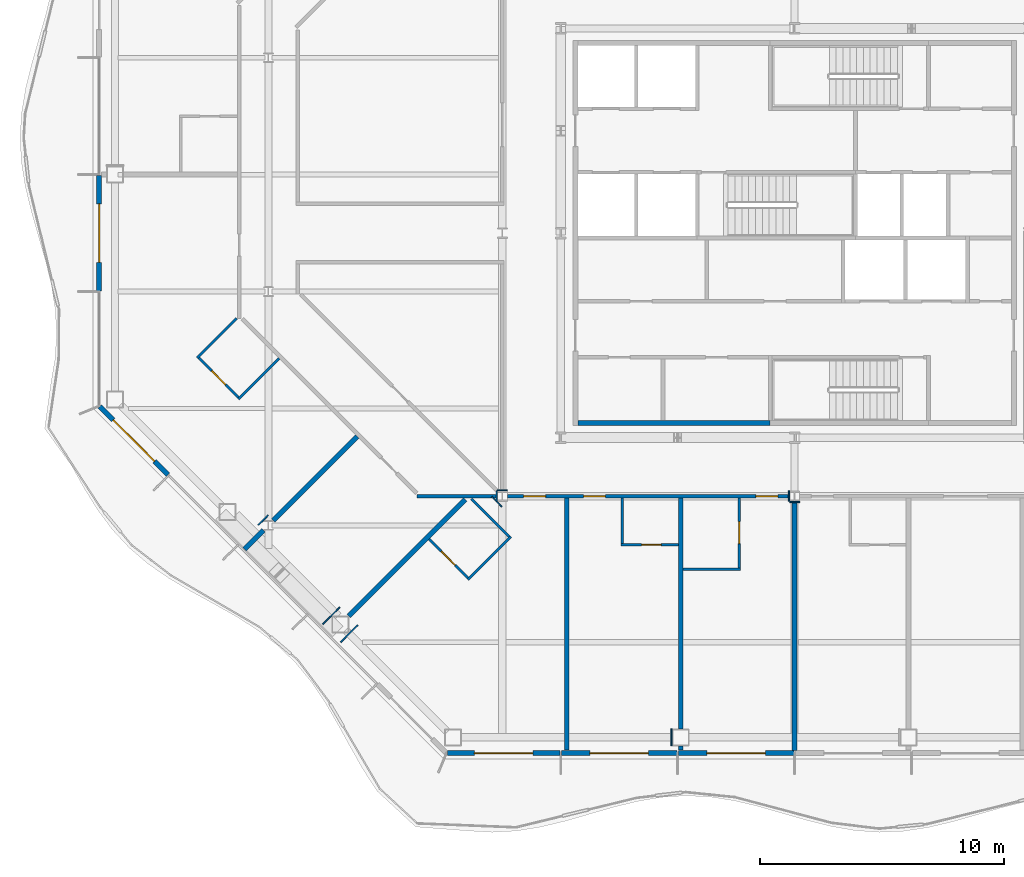
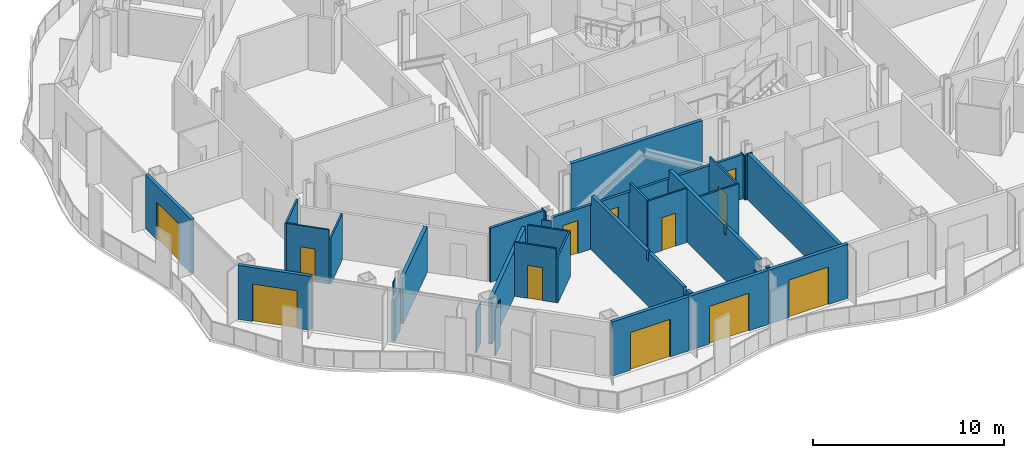
# One storey, part 7 of 21: 34 walls, 12 doors, 12 openings.
"""IFC4 building model written with IfcOpenShell, lengths in metres."""

import ifcopenshell
import ifcopenshell.guid

model = None  # the IFC model being written
_history = None  # IfcOwnerHistory: only IFC2X3 demands one
_inside = {}  # id of a spatial element -> (the spatial element, [elements in it])
_under = {}  # id of a project, library or spatial element -> (it, [spatial elements below it])
_declared = {}  # id of a project -> (the project, [libraries it declares])
_typed = {}  # id of a type object -> (the type object, [elements of that type])
_made_of = {}  # id of a material, layer set ... -> (it, [elements and type objects made of it])


def new_model(schema):
    """Start an empty IFC model of exactly this schema.

    Asked for "IFC4X3", IfcOpenShell would pick the latest addendum, in which some entities
    have other attributes; the version numbers below select the first issue.
    IFC2X3 requires an IfcOwnerHistory on every rooted entity: one is made here for all.
    """
    global model, _history
    if schema == "IFC4X3":
        model = ifcopenshell.file(schema_version=(4, 3, 0, 0))
    else:
        model = ifcopenshell.file(schema=schema)
    _inside.clear()
    _under.clear()
    _declared.clear()
    _typed.clear()
    _made_of.clear()
    _history = None
    if model.schema == "IFC2X3":
        org = make("IfcOrganization", Name="unknown")
        user = make(
            "IfcPersonAndOrganization",
            ThePerson=make("IfcPerson", FamilyName="unknown"),
            TheOrganization=org,
        )
        app = make(
            "IfcApplication",
            ApplicationDeveloper=org,
            Version="unknown",
            ApplicationFullName="unknown",
            ApplicationIdentifier="unknown",
        )
        _history = make(
            "IfcOwnerHistory",
            OwningUser=user,
            OwningApplication=app,
            ChangeAction="ADDED",
            CreationDate=0,
        )
    return model


def make(cls, **values):
    """One entity of the class cls with the attributes given. An attribute that is None is left unset."""
    return model.create_entity(
        cls, **{name: value for name, value in values.items() if value is not None}
    )


def rooted(cls, **values):
    """An entity with a GlobalId (a new one), such as an element, a storey or a relation."""
    return make(cls, GlobalId=ifcopenshell.guid.new(), OwnerHistory=_history, **values)


def si_unit(unit_type, name, prefix=None):
    """IfcSIUnit, for example si_unit("LENGTHUNIT", "METRE", prefix="MILLI")."""
    return make("IfcSIUnit", UnitType=unit_type, Prefix=prefix, Name=name)


def assignment(units):
    """IfcUnitAssignment: the units of a project."""
    return None if units is None else make("IfcUnitAssignment", Units=units)


def point(xyz):
    """IfcCartesianPoint."""
    return None if xyz is None else make("IfcCartesianPoint", Coordinates=xyz)


def direction(xyz):
    """IfcDirection."""
    return None if xyz is None else make("IfcDirection", DirectionRatios=xyz)


def frame(location, z_axis=None, x_axis=None):
    """IfcAxis2Placement3D, a coordinate frame: its origin and axes. An axis left out is left unset."""
    return make(
        "IfcAxis2Placement3D",
        Location=point(location),
        Axis=direction(z_axis),
        RefDirection=direction(x_axis),
    )


def frame_2d(location, x_axis=None):
    """IfcAxis2Placement2D, a coordinate frame in the plane: its origin and x axis."""
    return make(
        "IfcAxis2Placement2D", Location=point(location), RefDirection=direction(x_axis)
    )


def origin():
    """The frame at (0, 0, 0) with its axes left unset."""
    return frame((0.0, 0.0, 0.0))


def place(relative_to, where):
    """IfcLocalPlacement: puts the frame where relative to a parent placement (None: the world)."""
    return make(
        "IfcLocalPlacement", PlacementRelTo=relative_to, RelativePlacement=where
    )


def context(
    kind, dimensions, precision=None, world=None, true_north=None, identifier=None
):
    """IfcGeometricRepresentationContext, for example the 3D "Model" context."""
    return make(
        "IfcGeometricRepresentationContext",
        ContextIdentifier=identifier,
        ContextType=kind,
        CoordinateSpaceDimension=dimensions,
        Precision=precision,
        WorldCoordinateSystem=world,
        TrueNorth=true_north,
    )


def subcontext(parent, identifier, kind, view, scale=None):
    """IfcGeometricRepresentationSubContext, for example "Body" below "Model"."""
    return make(
        "IfcGeometricRepresentationSubContext",
        ContextIdentifier=identifier,
        ContextType=kind,
        ParentContext=parent,
        TargetScale=scale,
        TargetView=view,
    )


def project(units=None, contexts=None):
    """IfcProject with its units and contexts."""
    return rooted(
        "IfcProject",
        Name="project",
        RepresentationContexts=contexts,
        UnitsInContext=assignment(units),
    )


def spatial(cls, under=None, at=None, **own):
    """A site, building, storey or space (cls), placed at a placement, below another one or the project."""
    s = rooted(cls, ObjectPlacement=at, **own)
    if under is not None:
        _under.setdefault(under.id(), (under, []))[1].append(s)
    return s


def polyline(points):
    """IfcPolyline through the points."""
    return make("IfcPolyline", Points=[point(p) for p in points])


def profile(cls, at=None, kind="AREA", **sizes):
    """A parametric profile (cls). Its sizes go by their IFC names, for example OverallWidth=200.0."""
    return make(cls, ProfileType=kind, Position=at, **sizes)


def rectangle(**sizes):
    """IfcRectangleProfileDef."""
    return profile("IfcRectangleProfileDef", **sizes)


def outline(outer, holes=None, kind="AREA"):
    """IfcArbitraryClosedProfileDef: a profile drawn as a closed curve; with holes, ...WithVoids."""
    if holes is None:
        return make("IfcArbitraryClosedProfileDef", ProfileType=kind, OuterCurve=outer)
    return make(
        "IfcArbitraryProfileDefWithVoids",
        ProfileType=kind,
        OuterCurve=outer,
        InnerCurves=holes,
    )


def extrude(swept, where, along, depth):
    """IfcExtrudedAreaSolid: the profile swept, set in the frame where, extruded along a direction by depth."""
    return make(
        "IfcExtrudedAreaSolid",
        SweptArea=swept,
        Position=where,
        ExtrudedDirection=direction(along),
        Depth=depth,
    )


def shape(context_of_items, identifier, shape_type, items):
    """IfcShapeRepresentation: the items that make up one representation, for example the "Body"."""
    return make(
        "IfcShapeRepresentation",
        ContextOfItems=context_of_items,
        RepresentationIdentifier=identifier,
        RepresentationType=shape_type,
        Items=items,
    )


def material(Name=None, Category=None):
    """IfcMaterial."""
    return make("IfcMaterial", Name=Name, Category=Category)


def layer(
    of_material, thickness, ventilated=None, Name=None, Category=None, Priority=None
):
    """IfcMaterialLayer: one layer of a wall or slab, of a material (None: an air gap)."""
    return make(
        "IfcMaterialLayer",
        Material=of_material,
        LayerThickness=thickness,
        IsVentilated=ventilated,
        Name=Name,
        Category=Category,
        Priority=Priority,
    )


def layer_set(layers, Name=None):
    """IfcMaterialLayerSet."""
    return make("IfcMaterialLayerSet", MaterialLayers=layers, LayerSetName=Name)


def made_of(thing, what):
    """Note that an element or type object is made of a material, layer set ...; save() writes the relation."""
    if what is not None:
        _made_of.setdefault(what.id(), (what, []))[1].append(thing)
    return thing


def type_object(cls, material=None, **own):
    """A type object (cls), such as IfcWallType, which elements share."""
    return made_of(rooted(cls, **own), material)


def element(
    cls,
    number,
    at=None,
    inside=None,
    cuts=None,
    type_object=None,
    material=None,
    context=None,
    identifier="Body",
    shape_type=None,
    held_by="IfcProductDefinitionShape",
    body=None,
    shapes=None,
    **own,
):
    """One element of the class cls, such as IfcWall. Its Tag is "e" and its number.

    at: its placement. inside: the storey or other place that contains it. cuts: it is an
    opening in that element (IfcRelVoidsElement). A single representation is given by context,
    identifier, shape_type and body (its items); several are given by shapes. held_by: the class
    of the entity that holds the representations. save() writes the other relations.
    """
    e = rooted(cls, Tag="e%d" % number, ObjectPlacement=at, **own)
    if body is not None:
        shapes = [shape(context, identifier, shape_type, body)]
    if shapes is not None:
        e.Representation = make(held_by, Representations=shapes)
    if inside is not None:
        _inside.setdefault(inside.id(), (inside, []))[1].append(e)
    if cuts is not None:
        rooted(
            "IfcRelVoidsElement", RelatingBuildingElement=cuts, RelatedOpeningElement=e
        )
    if type_object is not None:
        _typed.setdefault(type_object.id(), (type_object, []))[1].append(e)
    return made_of(e, material)


def fill(opening, filler):
    """IfcRelFillsElement: the door or window that sits in an opening."""
    return rooted(
        "IfcRelFillsElement",
        RelatingOpeningElement=opening,
        RelatedBuildingElement=filler,
    )


def aggregate(whole, parts):
    """IfcRelAggregates: a whole, such as a stair, and the parts it consists of."""
    return rooted("IfcRelAggregates", RelatingObject=whole, RelatedObjects=parts)


def save(model, path):
    """Write the relations noted so far, then the file.

    IfcRelAggregates (storeys below a building ...), IfcRelContainedInSpatialStructure (elements
    in a storey), IfcRelDefinesByType, IfcRelAssociatesMaterial and IfcRelDeclares: one each for
    every whole, place, type object, material and project.
    """
    for whole, parts in _under.values():
        aggregate(whole, parts)
    for where, things in _inside.values():
        rooted(
            "IfcRelContainedInSpatialStructure",
            RelatedElements=things,
            RelatingStructure=where,
        )
    for kind, things in _typed.values():
        rooted("IfcRelDefinesByType", RelatedObjects=things, RelatingType=kind)
    for what, things in _made_of.values():
        rooted("IfcRelAssociatesMaterial", RelatedObjects=things, RelatingMaterial=what)
    for by, libraries in _declared.values():
        rooted("IfcRelDeclares", RelatingContext=by, RelatedDefinitions=libraries)
    model.write(path)


model = new_model("IFC4")

# Units and contexts
model_context = context("Model", 3, precision=1e-05, world=origin(), true_north=direction((0.0, 1.0)))
body_context = subcontext(model_context, "Body", "Model", "MODEL_VIEW")
ifc_project = project(units=[si_unit("LENGTHUNIT", "METRE"), si_unit("AREAUNIT", "SQUARE_METRE"), si_unit("VOLUMEUNIT", "CUBIC_METRE"), si_unit("PLANEANGLEUNIT", "RADIAN"), si_unit("MASSUNIT", "GRAM", prefix="KILO")], contexts=[model_context])

# Site, building, storey
site_placement = place(None, origin())
site = spatial("IfcSite", under=ifc_project, at=site_placement, CompositionType="ELEMENT")
building_placement = place(site_placement, origin())
building = spatial("IfcBuilding", under=site, at=building_placement, Name="Cairn Pilgrim Tower", CompositionType="ELEMENT")
storey_placement = place(building_placement, frame((0.0, 0.0, 136.199951171875)))
storey = spatial("IfcBuildingStorey", under=building, at=storey_placement, Name="L33", CompositionType="ELEMENT", Elevation=136.199951171875)

# Wall, opening, door
ifc_material_1 = material(Name="Bronze anodised aluminium insulated sandwich panel with mineral wool fill", Category="aluminium")
ifc_layer_1 = layer(ifc_material_1, 0.199951171875)
ifc_layer_set_1 = layer_set([ifc_layer_1], Name="BRONZE INFILL FRAME WALL 200")
wall_type_1 = type_object("IfcWallType", Name="BRONZE INFILL FRAME WALL 200", PredefinedType="NOTDEFINED", material=ifc_layer_set_1)
wall_1_placement = place(storey_placement, frame((-7.056396484375, -18.949951171875, 0.0), z_axis=(0.0, 0.0, 1.0), x_axis=(1.0, 0.0, 0.0)))
wall_1 = element("IfcWall", 1, at=wall_1_placement, inside=storey, type_object=wall_type_1, Name="Bronze infill frame wall IW-S1", PredefinedType="NOTDEFINED", context=body_context, shape_type="SweptSolid", body=[
    extrude(rectangle(XDim=4.62646484375, YDim=0.199951171875, at=frame_2d((2.313232421875, 0.0))), origin(), (0.0, 0.0, 1.0), 3.449951171875),
])
opening_1_placement = place(wall_1_placement, frame((1.1083984375, 0.0, 0.0)))
opening_1 = element("IfcOpeningElement", 2, at=opening_1_placement, cuts=wall_1, Name="Opening 3320B", PredefinedType="OPENING", context=body_context, shape_type="SweptSolid", body=[
    extrude(rectangle(XDim=2.39990234375, YDim=2.39990234375, at=frame_2d((1.199951171875, 1.199951171875))), frame((0.0, 0.10986328125, 0.0), z_axis=(0.0, -1.0, 0.0), x_axis=(1.0, 0.0, 0.0)), (0.0, 0.0, 1.0), 0.219970703125),
])
ifc_material_2 = material(Name="Bronze anodised aluminium frame with tinted low-E glass", Category="aluminium")
door_type_1 = type_object("IfcDoorType", Name="BALCONY SLIDING DOOR 2400x2400", OperationType="DOUBLE_DOOR_SLIDING", PredefinedType="DOOR", material=ifc_material_2)
door_1_placement = place(opening_1_placement, origin())
door_1 = element("IfcDoor", 3, at=door_1_placement, inside=storey, type_object=door_type_1, Name="Balcony sliding door 3320B", OperationType="SINGLE_SWING_LEFT", OverallHeight=2.39990234375, OverallWidth=2.39990234375, PredefinedType="DOOR", context=body_context, shape_type="SweptSolid", body=[
    extrude(rectangle(XDim=2.39990234375, YDim=2.39990234375, at=frame_2d((1.199951171875, 1.199951171875))), frame((0.0, 0.02490234375, 0.0), z_axis=(0.0, -1.0, 0.0), x_axis=(1.0, 0.0, 0.0)), (0.0, 0.0, 1.0), 0.050048828125),
])
fill(opening_1, door_1)

wall_2_placement = place(storey_placement, frame((-2.3701171875, -18.949951171875, 0.0), z_axis=(0.0, 0.0, 1.0), x_axis=(1.0, 0.0, 0.0)))
wall_2 = element("IfcWall", 4, at=wall_2_placement, inside=storey, type_object=wall_type_1, Name="Bronze infill frame wall IW-S2", PredefinedType="NOTDEFINED", context=body_context, shape_type="SweptSolid", body=[
    extrude(rectangle(XDim=4.740234375, YDim=0.199951171875, at=frame_2d((2.3701171875, 0.0))), origin(), (0.0, 0.0, 1.0), 3.449951171875),
])
opening_2_placement = place(wall_2_placement, frame((1.16943359375, 0.0, 0.0)))
opening_2 = element("IfcOpeningElement", 5, at=opening_2_placement, cuts=wall_2, Name="Opening 3321B", PredefinedType="OPENING", context=body_context, shape_type="SweptSolid", body=[
    extrude(rectangle(XDim=2.39990234375, YDim=2.39990234375, at=frame_2d((1.199951171875, 1.199951171875))), frame((0.0, 0.10986328125, 0.0), z_axis=(0.0, -1.0, 0.0), x_axis=(1.0, 0.0, 0.0)), (0.0, 0.0, 1.0), 0.219970703125),
])
door_2_placement = place(opening_2_placement, origin())
door_2 = element("IfcDoor", 6, at=door_2_placement, inside=storey, type_object=door_type_1, Name="Balcony sliding door 3321B", OperationType="SINGLE_SWING_LEFT", OverallHeight=2.39990234375, OverallWidth=2.39990234375, PredefinedType="DOOR", context=body_context, shape_type="SweptSolid", body=[
    extrude(rectangle(XDim=2.39990234375, YDim=2.39990234375, at=frame_2d((1.199951171875, 1.199951171875))), frame((0.0, 0.02490234375, 0.0), z_axis=(0.0, -1.0, 0.0), x_axis=(1.0, 0.0, 0.0)), (0.0, 0.0, 1.0), 0.050048828125),
])
fill(opening_2, door_2)

wall_3_placement = place(storey_placement, frame((2.429931640625, -18.949951171875, 0.0), z_axis=(0.0, 0.0, 1.0), x_axis=(1.0, 0.0, 0.0)))
wall_3 = element("IfcWall", 7, at=wall_3_placement, inside=storey, type_object=wall_type_1, Name="Bronze infill frame wall IW-S3", PredefinedType="NOTDEFINED", context=body_context, shape_type="SweptSolid", body=[
    extrude(rectangle(XDim=4.739990234375, YDim=0.199951171875, at=frame_2d((2.3701171875, 0.0))), origin(), (0.0, 0.0, 1.0), 3.449951171875),
])
opening_3_placement = place(wall_3_placement, frame((1.17041015625, 0.0, 0.0)))
opening_3 = element("IfcOpeningElement", 8, at=opening_3_placement, cuts=wall_3, Name="Opening 3322B", PredefinedType="OPENING", context=body_context, shape_type="SweptSolid", body=[
    extrude(rectangle(XDim=2.39990234375, YDim=2.39990234375, at=frame_2d((1.199951171875, 1.199951171875))), frame((0.0, 0.10986328125, 0.0), z_axis=(0.0, -1.0, 0.0), x_axis=(1.0, 0.0, 0.0)), (0.0, 0.0, 1.0), 0.219970703125),
])
door_3_placement = place(opening_3_placement, origin())
door_3 = element("IfcDoor", 9, at=door_3_placement, inside=storey, type_object=door_type_1, Name="Balcony sliding door 3322B", OperationType="SINGLE_SWING_LEFT", OverallHeight=2.39990234375, OverallWidth=2.39990234375, PredefinedType="DOOR", context=body_context, shape_type="SweptSolid", body=[
    extrude(rectangle(XDim=2.39990234375, YDim=2.39990234375, at=frame_2d((1.199951171875, 1.199951171875))), frame((0.0, 0.02490234375, 0.0), z_axis=(0.0, -1.0, 0.0), x_axis=(1.0, 0.0, 0.0)), (0.0, 0.0, 1.0), 0.050048828125),
])
fill(opening_3, door_3)

wall_4_placement = place(storey_placement, frame((-21.35009765625, 4.77001953125, 0.0), z_axis=(0.0, 0.0, 1.0), x_axis=(0.0, -1.0, 0.0)))
wall_4 = element("IfcWall", 10, at=wall_4_placement, inside=storey, type_object=wall_type_1, Name="Bronze infill frame wall IW-W3", PredefinedType="NOTDEFINED", context=body_context, shape_type="SweptSolid", body=[
    extrude(rectangle(XDim=4.739990234375, YDim=0.199951171875, at=frame_2d((2.3701171875, 0.0))), origin(), (0.0, 0.0, 1.0), 3.449951171875),
])
opening_4_placement = place(wall_4_placement, frame((1.169921875, 0.0, 0.0)))
opening_4 = element("IfcOpeningElement", 11, at=opening_4_placement, cuts=wall_4, Name="Opening 3318B", PredefinedType="OPENING", context=body_context, shape_type="SweptSolid", body=[
    extrude(rectangle(XDim=2.39990234375, YDim=2.39990234375, at=frame_2d((1.199951171875, 1.199951171875))), frame((0.0, 0.10986328125, 0.0), z_axis=(0.0, -1.0, 0.0), x_axis=(1.0, 0.0, 0.0)), (0.0, 0.0, 1.0), 0.219970703125),
])
door_4_placement = place(opening_4_placement, origin())
door_4 = element("IfcDoor", 12, at=door_4_placement, inside=storey, type_object=door_type_1, Name="Balcony sliding door 3318B", OperationType="SINGLE_SWING_LEFT", OverallHeight=2.39990234375, OverallWidth=2.39990234375, PredefinedType="DOOR", context=body_context, shape_type="SweptSolid", body=[
    extrude(rectangle(XDim=2.39990234375, YDim=2.39990234375, at=frame_2d((1.199951171875, 1.199951171875))), frame((0.0, 0.02490234375, 0.0), z_axis=(0.0, -1.0, 0.0), x_axis=(1.0, 0.0, 0.0)), (0.0, 0.0, 1.0), 0.050048828125),
])
fill(opening_4, door_4)

wall_5_placement = place(storey_placement, frame((-21.32177734375, -4.724609375, 0.0), z_axis=(0.0, 0.0, 1.0), x_axis=(0.707106781187, -0.707106781187, 0.0)))
wall_5 = element("IfcWall", 13, at=wall_5_placement, inside=storey, type_object=wall_type_1, Name="Bronze infill frame wall IW-SW1", PredefinedType="NOTDEFINED", context=body_context, shape_type="SweptSolid", body=[
    extrude(rectangle(XDim=3.961669921875, YDim=0.199951171875, at=frame_2d((1.98095703125, 0.0))), origin(), (0.0, 0.0, 1.0), 3.449951171875),
])
opening_5_placement = place(wall_5_placement, frame((0.775390625, 0.0, 0.0)))
opening_5 = element("IfcOpeningElement", 14, at=opening_5_placement, cuts=wall_5, Name="Opening 3318B2", PredefinedType="OPENING", context=body_context, shape_type="SweptSolid", body=[
    extrude(rectangle(XDim=2.39990234375, YDim=2.39990234375, at=frame_2d((1.199951171875, 1.199951171875))), frame((0.0, 0.10986328125, 0.0), z_axis=(0.0, -1.0, 0.0), x_axis=(1.0, 0.0, 0.0)), (0.0, 0.0, 1.0), 0.219970703125),
])
door_5_placement = place(opening_5_placement, origin())
door_5 = element("IfcDoor", 15, at=door_5_placement, inside=storey, type_object=door_type_1, Name="Balcony sliding door 3318B2", OperationType="SINGLE_SWING_LEFT", OverallHeight=2.39990234375, OverallWidth=2.39990234375, PredefinedType="DOOR", context=body_context, shape_type="SweptSolid", body=[
    extrude(rectangle(XDim=2.39990234375, YDim=2.39990234375, at=frame_2d((1.199951171875, 1.199951171875))), frame((0.0, 0.02490234375, 0.0), z_axis=(0.0, -1.0, 0.0), x_axis=(1.0, 0.0, 0.0)), (0.0, 0.0, 1.0), 0.050048828125),
])
fill(opening_5, door_5)

# Wall
ifc_material_3 = material(Name="Concrete C32/40", Category="concrete")
ifc_layer_2 = layer(ifc_material_3, 0.199951171875)
ifc_layer_set_2 = layer_set([ifc_layer_2], Name="CORE OUTER WALL 200 EI 120")
wall_type_2 = type_object("IfcWallType", Name="CORE OUTER WALL 200 EI 120", PredefinedType="SOLIDWALL", material=ifc_layer_set_2)
wall_6_placement = place(storey_placement, frame((-1.699951171875, -5.39990234375, 0.0), z_axis=(0.0, 0.0, 1.0), x_axis=(1.0, 0.0, 0.0)))
element("IfcWall", 16, at=wall_6_placement, inside=storey, type_object=wall_type_2, Name="CW:L33:H01-1", PredefinedType="SOLIDWALL", context=body_context, shape_type="SweptSolid", body=[
    extrude(rectangle(XDim=7.89990234375, YDim=0.199951171875, at=frame_2d((3.949951171875, 0.0))), origin(), (0.0, 0.0, 1.0), 3.449951171875),
])

# Wall, opening, door
ifc_material_4 = material(Name="Gypsum partition")
ifc_layer_3 = layer(ifc_material_4, 0.10009765625)
ifc_layer_set_3 = layer_set([ifc_layer_3], Name="PARTITION 100 DRYWALL")
wall_type_3 = type_object("IfcWallType", Name="PARTITION 100 DRYWALL", PredefinedType="PARTITIONING", material=ifc_layer_set_3)
wall_7_placement = place(storey_placement, frame((-6.21142578125, -11.758544921875, 0.0), z_axis=(0.0, 0.0, 1.0), x_axis=(-0.707106781187, 0.707106781187, 0.0)))
wall_7 = element("IfcWall", 17, at=wall_7_placement, inside=storey, type_object=wall_type_3, Name="PARTITION W010", PredefinedType="PARTITIONING", context=body_context, shape_type="SweptSolid", body=[
    extrude(rectangle(XDim=2.249755859375, YDim=0.10009765625, at=frame_2d((1.125, 0.0))), origin(), (0.0, 0.0, 1.0), 3.449951171875),
])
opening_6_placement = place(wall_7_placement, frame((0.75, 0.0, 0.0)))
opening_6 = element("IfcOpeningElement", 18, at=opening_6_placement, cuts=wall_7, Name="Opening 3320A", PredefinedType="OPENING", context=body_context, shape_type="SweptSolid", body=[
    extrude(rectangle(XDim=0.800048828125, YDim=2.10009765625, at=frame_2d((0.39990234375, 1.050048828125))), frame((0.0, 0.06005859375, 0.0), z_axis=(0.0, -1.0, 0.0), x_axis=(1.0, 0.0, 0.0)), (0.0, 0.0, 1.0), 0.1201171875),
])
ifc_material_5 = material(Name="Timber door leaf", Category="wood")
door_type_2 = type_object("IfcDoorType", Name="WC DOOR 800x2100", OperationType="NOTDEFINED", PredefinedType="DOOR", material=ifc_material_5)
door_6_placement = place(opening_6_placement, origin())
door_6 = element("IfcDoor", 19, at=door_6_placement, inside=storey, type_object=door_type_2, Name="DOOR 3320A", OperationType="SINGLE_SWING_LEFT", OverallHeight=2.10009765625, OverallWidth=0.800048828125, PredefinedType="DOOR", context=body_context, shape_type="SweptSolid", body=[
    extrude(rectangle(XDim=0.800048828125, YDim=2.10009765625, at=frame_2d((0.39990234375, 1.050048828125))), frame((0.0, 0.02490234375, 0.0), z_axis=(0.0, -1.0, 0.0), x_axis=(1.0, 0.0, 0.0)), (0.0, 0.0, 1.0), 0.050048828125),
])
fill(opening_6, door_6)

# Walls
wall_8_placement = place(storey_placement, frame((-6.21142578125, -11.829345703125, 0.0), z_axis=(0.0, 0.0, 1.0), x_axis=(0.707155609469, 0.707057949532, 0.0)))
element("IfcWall", 20, at=wall_8_placement, inside=storey, type_object=wall_type_3, Name="PARTITION W011", PredefinedType="PARTITIONING", context=body_context, shape_type="SweptSolid", body=[
    extrude(rectangle(XDim=2.5, YDim=0.10009765625, at=frame_2d((1.25, 0.0))), origin(), (0.0, 0.0, 1.0), 2.929931640625),
])
wall_9_placement = place(storey_placement, frame((2.6240234375, -11.39990234375, 0.0), z_axis=(0.0, 0.0, 1.0), x_axis=(1.0, 0.0, 0.0)))
element("IfcWall", 21, at=wall_9_placement, inside=storey, type_object=wall_type_3, Name="PARTITION W014", PredefinedType="PARTITIONING", context=body_context, shape_type="SweptSolid", body=[
    extrude(rectangle(XDim=2.35009765625, YDim=0.10009765625, at=frame_2d((1.175048828125, 0.0))), origin(), (0.0, 0.0, 1.0), 3.449951171875),
])

# Wall, opening, door
wall_10_placement = place(storey_placement, frame((4.924072265625, -11.35009765625, 0.0), z_axis=(0.0, 0.0, 1.0), x_axis=(0.0, 1.0, 0.0)))
wall_10 = element("IfcWall", 22, at=wall_10_placement, inside=storey, type_object=wall_type_3, Name="PARTITION W015", PredefinedType="PARTITIONING", context=body_context, shape_type="SweptSolid", body=[
    extrude(outline(polyline([(0.0, 0.0), (2.875, 0.0), (2.875, 2.830078125), (2.800048828125, 2.830078125), (2.798095703125, 3.449951171875), (0.0, 3.449951171875), (0.0, 0.0)])), frame((0.0, 0.050048828125, 0.0), z_axis=(0.0, -1.0, 0.0), x_axis=(1.0, 0.0, 0.0)), (0.0, 0.0, 1.0), 0.10009765625),
])
opening_7_placement = place(wall_10_placement, frame((1.0, 0.0, 0.0)))
opening_7 = element("IfcOpeningElement", 23, at=opening_7_placement, cuts=wall_10, Name="Opening 3322A", PredefinedType="OPENING", context=body_context, shape_type="SweptSolid", body=[
    extrude(rectangle(XDim=0.89990234375, YDim=2.10009765625, at=frame_2d((0.449951171875, 1.050048828125))), frame((0.0, 0.06005859375, 0.0), z_axis=(0.0, -1.0, 0.0), x_axis=(1.0, 0.0, 0.0)), (0.0, 0.0, 1.0), 0.1201171875),
])
door_type_3 = type_object("IfcDoorType", Name="WC DOOR 900x2100", OperationType="NOTDEFINED", PredefinedType="DOOR", material=ifc_material_5)
door_7_placement = place(opening_7_placement, frame((0.89990234375, 0.0, 0.0), z_axis=(0.0, 0.0, 1.0), x_axis=(-1.0, 0.0, 0.0)))
door_7 = element("IfcDoor", 24, at=door_7_placement, inside=storey, type_object=door_type_3, Name="DOOR 3322A", OperationType="SINGLE_SWING_LEFT", OverallHeight=2.10009765625, OverallWidth=0.89990234375, PredefinedType="DOOR", context=body_context, shape_type="SweptSolid", body=[
    extrude(rectangle(XDim=0.89990234375, YDim=2.10009765625, at=frame_2d((0.449951171875, 1.050048828125))), frame((0.0, 0.02490234375, 0.0), z_axis=(0.0, -1.0, 0.0), x_axis=(1.0, 0.0, 0.0)), (0.0, 0.0, 1.0), 0.050048828125),
])
fill(opening_7, door_7)

wall_11_placement = place(storey_placement, frame((0.073974609375, -10.39990234375, 0.0), z_axis=(0.0, 0.0, 1.0), x_axis=(1.0, 0.0, 0.0)))
wall_11 = element("IfcWall", 25, at=wall_11_placement, inside=storey, type_object=wall_type_3, Name="PARTITION W017", PredefinedType="PARTITIONING", context=body_context, shape_type="SweptSolid", body=[
    extrude(rectangle(XDim=2.35009765625, YDim=0.10009765625, at=frame_2d((1.175048828125, 0.0))), origin(), (0.0, 0.0, 1.0), 3.449951171875),
])
opening_8_placement = place(wall_11_placement, frame((0.85009765625, 0.0, 0.0)))
opening_8 = element("IfcOpeningElement", 26, at=opening_8_placement, cuts=wall_11, Name="Opening 3321A", PredefinedType="OPENING", context=body_context, shape_type="SweptSolid", body=[
    extrude(rectangle(XDim=0.800048828125, YDim=2.10009765625, at=frame_2d((0.39990234375, 1.050048828125))), frame((0.0, 0.06005859375, 0.0), z_axis=(0.0, -1.0, 0.0), x_axis=(1.0, 0.0, 0.0)), (0.0, 0.0, 1.0), 0.1201171875),
])
door_8_placement = place(opening_8_placement, frame((0.800048828125, 0.0, 0.0), z_axis=(0.0, 0.0, 1.0), x_axis=(-1.0, 0.0, 0.0)))
door_8 = element("IfcDoor", 27, at=door_8_placement, inside=storey, type_object=door_type_2, Name="DOOR 3321A", OperationType="SINGLE_SWING_LEFT", OverallHeight=2.10009765625, OverallWidth=0.800048828125, PredefinedType="DOOR", context=body_context, shape_type="SweptSolid", body=[
    extrude(rectangle(XDim=0.800048828125, YDim=2.10009765625, at=frame_2d((0.39990234375, 1.050048828125))), frame((0.0, 0.02490234375, 0.0), z_axis=(0.0, -1.0, 0.0), x_axis=(1.0, 0.0, 0.0)), (0.0, 0.0, 1.0), 0.050048828125),
])
fill(opening_8, door_8)

# Walls
wall_12_placement = place(storey_placement, frame((0.1240234375, -10.35009765625, 0.0), z_axis=(0.0, 0.0, 1.0), x_axis=(0.0, 1.0, 0.0)))
element("IfcWall", 28, at=wall_12_placement, inside=storey, type_object=wall_type_3, Name="PARTITION W019", PredefinedType="PARTITIONING", context=body_context, shape_type="SweptSolid", body=[
    extrude(outline(polyline([(0.0, 0.0), (1.875, 0.0), (1.875, 2.830078125), (1.800048828125, 2.830078125), (1.798095703125, 3.449951171875), (0.0, 3.449951171875), (0.0, 0.0)])), frame((0.0, 0.050048828125, 0.0), z_axis=(0.0, -1.0, 0.0), x_axis=(1.0, 0.0, 0.0)), (0.0, 0.0, 1.0), 0.10009765625),
])
wall_13_placement = place(storey_placement, frame((-4.514404296875, -10.0615234375, 0.0), z_axis=(0.0, 0.0, 1.0), x_axis=(-0.707106781187, 0.707106781187, 0.0)))
element("IfcWall", 29, at=wall_13_placement, inside=storey, type_object=wall_type_3, Name="PARTITION W021", PredefinedType="PARTITIONING", context=body_context, shape_type="SweptSolid", body=[
    extrude(rectangle(XDim=2.19384765625, YDim=0.10009765625, at=frame_2d((1.096923828125, 0.0))), origin(), (0.0, 0.0, 1.0), 2.929931640625),
])

# Wall, opening, door
wall_14_placement = place(storey_placement, frame((-15.635498046875, -4.3525390625, 0.0), z_axis=(0.0, 0.0, 1.0), x_axis=(-0.707106781187, 0.707106781187, 0.0)))
wall_14 = element("IfcWall", 30, at=wall_14_placement, inside=storey, type_object=wall_type_3, Name="PARTITION W035", PredefinedType="PARTITIONING", context=body_context, shape_type="SweptSolid", body=[
    extrude(rectangle(XDim=2.2998046875, YDim=0.10009765625, at=frame_2d((1.14990234375, 0.0))), origin(), (0.0, 0.0, 1.0), 3.449951171875),
])
opening_9_placement = place(wall_14_placement, frame((0.75, 0.0, 0.0)))
opening_9 = element("IfcOpeningElement", 31, at=opening_9_placement, cuts=wall_14, Name="Opening 3318A", PredefinedType="OPENING", context=body_context, shape_type="SweptSolid", body=[
    extrude(rectangle(XDim=0.800048828125, YDim=2.10009765625, at=frame_2d((0.39990234375, 1.050048828125))), frame((0.0, 0.06005859375, 0.0), z_axis=(0.0, -1.0, 0.0), x_axis=(1.0, 0.0, 0.0)), (0.0, 0.0, 1.0), 0.1201171875),
])
door_9_placement = place(opening_9_placement, origin())
door_9 = element("IfcDoor", 32, at=door_9_placement, inside=storey, type_object=door_type_2, Name="DOOR 3318A", OperationType="SINGLE_SWING_RIGHT", OverallHeight=2.10009765625, OverallWidth=0.800048828125, PredefinedType="DOOR", context=body_context, shape_type="SweptSolid", body=[
    extrude(rectangle(XDim=0.800048828125, YDim=2.10009765625, at=frame_2d((0.39990234375, 1.050048828125))), frame((0.0, 0.02490234375, 0.0), z_axis=(0.0, -1.0, 0.0), x_axis=(1.0, 0.0, 0.0)), (0.0, 0.0, 1.0), 0.050048828125),
])
fill(opening_9, door_9)

# Walls
wall_15_placement = place(storey_placement, frame((-15.635498046875, -4.42333984375, 0.0), z_axis=(0.0, 0.0, 1.0), x_axis=(0.707106781187, 0.707106781187, 0.0)))
element("IfcWall", 33, at=wall_15_placement, inside=storey, type_object=wall_type_3, Name="PARTITION W036", PredefinedType="PARTITIONING", context=body_context, shape_type="SweptSolid", body=[
    extrude(rectangle(XDim=2.375, YDim=0.10009765625, at=frame_2d((1.1875, 0.0))), origin(), (0.0, 0.0, 1.0), 2.929931640625),
])
wall_16_placement = place(storey_placement, frame((-17.33251953125, -2.726318359375, 0.0), z_axis=(0.0, 0.0, 1.0), x_axis=(0.707159989116, 0.707053569253, 0.0)))
element("IfcWall", 34, at=wall_16_placement, inside=storey, type_object=wall_type_3, Name="PARTITION W039", PredefinedType="PARTITIONING", context=body_context, shape_type="SweptSolid", body=[
    extrude(rectangle(XDim=2.294189453125, YDim=0.10009765625, at=frame_2d((1.14697265625, 0.0))), origin(), (0.0, 0.0, 1.0), 3.449951171875),
])
ifc_layer_4 = layer(ifc_material_4, 0.14990234375)
ifc_layer_set_4 = layer_set([ifc_layer_4], Name="PARTITION 150 DRYWALL EI 60")
wall_type_4 = type_object("IfcWallType", Name="PARTITION 150 DRYWALL EI 60", PredefinedType="PARTITIONING", material=ifc_layer_set_4)
wall_17_placement = place(storey_placement, frame((-8.300048828125, -8.39990234375, 0.0), z_axis=(0.0, 0.0, 1.0), x_axis=(1.0, 0.0, 0.0)))
element("IfcWall", 35, at=wall_17_placement, inside=storey, type_object=wall_type_4, Name="PARTITION W025", PredefinedType="PARTITIONING", context=body_context, shape_type="SweptSolid", body=[
    extrude(rectangle(XDim=3.295654296875, YDim=0.14990234375, at=frame_2d((1.64794921875, 0.0))), origin(), (0.0, 0.0, 1.0), 3.449951171875),
])

# Wall, openings, doors
wall_18_placement = place(storey_placement, frame((-4.595458984375, -8.39990234375, 0.0), z_axis=(0.0, 0.0, 1.0), x_axis=(1.0, 0.0, 0.0)))
wall_18 = element("IfcWall", 36, at=wall_18_placement, inside=storey, type_object=wall_type_4, Name="PARTITION W026", PredefinedType="PARTITIONING", context=body_context, shape_type="SweptSolid", body=[
    extrude(rectangle(XDim=11.591064453125, YDim=0.14990234375, at=frame_2d((5.79541015625, 0.0))), origin(), (0.0, 0.0, 1.0), 2.830078125),
])
opening_10_placement = place(wall_18_placement, frame((0.66943359375, 0.0, 0.0)))
opening_10 = element("IfcOpeningElement", 37, at=opening_10_placement, cuts=wall_18, Name="Opening 3320", PredefinedType="OPENING", context=body_context, shape_type="SweptSolid", body=[
    extrude(rectangle(XDim=0.89990234375, YDim=2.10009765625, at=frame_2d((0.449951171875, 1.050048828125))), frame((0.0, 0.0849609375, 0.0), z_axis=(0.0, -1.0, 0.0), x_axis=(1.0, 0.0, 0.0)), (0.0, 0.0, 1.0), 0.169921875),
])
opening_11_placement = place(wall_18_placement, frame((3.13134765625, 0.0, 0.0)))
opening_11 = element("IfcOpeningElement", 38, at=opening_11_placement, cuts=wall_18, Name="Opening 3321", PredefinedType="OPENING", context=body_context, shape_type="SweptSolid", body=[
    extrude(rectangle(XDim=0.89990234375, YDim=2.10009765625, at=frame_2d((0.449951171875, 1.050048828125))), frame((0.0, 0.0849609375, 0.0), z_axis=(0.0, -1.0, 0.0), x_axis=(1.0, 0.0, 0.0)), (0.0, 0.0, 1.0), 0.169921875),
])
opening_12_placement = place(wall_18_placement, frame((10.20751953125, 0.0, 0.0)))
opening_12 = element("IfcOpeningElement", 39, at=opening_12_placement, cuts=wall_18, Name="Opening 3322", PredefinedType="OPENING", context=body_context, shape_type="SweptSolid", body=[
    extrude(rectangle(XDim=0.89990234375, YDim=2.10009765625, at=frame_2d((0.449951171875, 1.050048828125))), frame((0.0, 0.0849609375, 0.0), z_axis=(0.0, -1.0, 0.0), x_axis=(1.0, 0.0, 0.0)), (0.0, 0.0, 1.0), 0.169921875),
])
door_type_4 = type_object("IfcDoorType", Name="ROOM DOOR 900x2100 FD30S", OperationType="NOTDEFINED", PredefinedType="DOOR", material=ifc_material_5)
door_10_placement = place(opening_10_placement, frame((0.89990234375, 0.0, 0.0), z_axis=(0.0, 0.0, 1.0), x_axis=(-1.0, 0.0, 0.0)))
door_10 = element("IfcDoor", 40, at=door_10_placement, inside=storey, type_object=door_type_4, Name="DOOR 3320", OperationType="SINGLE_SWING_LEFT", OverallHeight=2.10009765625, OverallWidth=0.89990234375, PredefinedType="DOOR", context=body_context, shape_type="SweptSolid", body=[
    extrude(rectangle(XDim=0.89990234375, YDim=2.10009765625, at=frame_2d((0.449951171875, 1.050048828125))), frame((0.0, 0.02490234375, 0.0), z_axis=(0.0, -1.0, 0.0), x_axis=(1.0, 0.0, 0.0)), (0.0, 0.0, 1.0), 0.050048828125),
])
fill(opening_10, door_10)
door_11_placement = place(opening_11_placement, frame((0.89990234375, 0.0, 0.0), z_axis=(0.0, 0.0, 1.0), x_axis=(-1.0, 0.0, 0.0)))
door_11 = element("IfcDoor", 41, at=door_11_placement, inside=storey, type_object=door_type_4, Name="DOOR 3321", OperationType="SINGLE_SWING_LEFT", OverallHeight=2.10009765625, OverallWidth=0.89990234375, PredefinedType="DOOR", context=body_context, shape_type="SweptSolid", body=[
    extrude(rectangle(XDim=0.89990234375, YDim=2.10009765625, at=frame_2d((0.449951171875, 1.050048828125))), frame((0.0, 0.02490234375, 0.0), z_axis=(0.0, -1.0, 0.0), x_axis=(1.0, 0.0, 0.0)), (0.0, 0.0, 1.0), 0.050048828125),
])
fill(opening_11, door_11)
door_12_placement = place(opening_12_placement, frame((0.89990234375, 0.0, 0.0), z_axis=(0.0, 0.0, 1.0), x_axis=(-1.0, 0.0, 0.0)))
door_12 = element("IfcDoor", 42, at=door_12_placement, inside=storey, type_object=door_type_4, Name="DOOR 3322", OperationType="SINGLE_SWING_LEFT", OverallHeight=2.10009765625, OverallWidth=0.89990234375, PredefinedType="DOOR", context=body_context, shape_type="SweptSolid", body=[
    extrude(rectangle(XDim=0.89990234375, YDim=2.10009765625, at=frame_2d((0.449951171875, 1.050048828125))), frame((0.0, 0.02490234375, 0.0), z_axis=(0.0, -1.0, 0.0), x_axis=(1.0, 0.0, 0.0)), (0.0, 0.0, 1.0), 0.050048828125),
])
fill(opening_12, door_12)

# Walls
ifc_layer_5 = layer(ifc_material_4, 0.050048828125)
ifc_layer_set_5 = layer_set([ifc_layer_5], Name="PARTITION 50 DRYWALL EI 60")
wall_type_5 = type_object("IfcWallType", Name="PARTITION 50 DRYWALL EI 60", PredefinedType="PARTITIONING", material=ifc_layer_set_5)
wall_19_placement = place(storey_placement, frame((6.970458984375, -8.612548828125, 0.0), z_axis=(0.0, 0.0, 1.0), x_axis=(0.0, 1.0, 0.0)))
element("IfcWall", 43, at=wall_19_placement, inside=storey, type_object=wall_type_5, Name="COLUMN CASING WC01", PredefinedType="PARTITIONING", context=body_context, shape_type="SweptSolid", body=[
    extrude(rectangle(XDim=0.425048828125, YDim=0.050048828125, at=frame_2d((0.21240234375, 0.0))), origin(), (0.0, 0.0, 1.0), 2.830078125),
])
wall_20_placement = place(storey_placement, frame((2.1494140625, -18.64990234375, 0.0), z_axis=(0.0, 0.0, 1.0), x_axis=(0.0, 1.0, 0.0)))
element("IfcWall", 44, at=wall_20_placement, inside=storey, type_object=wall_type_5, Name="COLUMN CASING WC02", PredefinedType="PARTITIONING", context=body_context, shape_type="SweptSolid", body=[
    extrude(rectangle(XDim=0.699951171875, YDim=0.050048828125, at=frame_2d((0.35009765625, 0.0))), origin(), (0.0, 0.0, 1.0), 2.929931640625),
])
wall_21_placement = place(storey_placement, frame((-12.169189453125, -13.657958984375, 0.0), z_axis=(0.0, 0.0, 1.0), x_axis=(0.707106781187, 0.707106781187, 0.0)))
element("IfcWall", 45, at=wall_21_placement, inside=storey, type_object=wall_type_5, Name="COLUMN CASING WC04", PredefinedType="PARTITIONING", context=body_context, shape_type="SweptSolid", body=[
    extrude(rectangle(XDim=0.989990234375, YDim=0.050048828125, at=frame_2d((0.4951171875, 0.0))), origin(), (0.0, 0.0, 1.0), 2.630126953125),
])
wall_22_placement = place(storey_placement, frame((-11.433837890625, -14.393310546875, 0.0), z_axis=(0.0, 0.0, 1.0), x_axis=(0.707106781187, 0.707106781187, 0.0)))
element("IfcWall", 46, at=wall_22_placement, inside=storey, type_object=wall_type_5, Name="COLUMN CASING WC05", PredefinedType="PARTITIONING", context=body_context, shape_type="SweptSolid", body=[
    extrude(rectangle(XDim=0.989990234375, YDim=0.050048828125, at=frame_2d((0.4951171875, 0.0))), origin(), (0.0, 0.0, 1.0), 2.929931640625),
])
wall_23_placement = place(storey_placement, frame((-14.813720703125, -9.582275390625, 0.0), z_axis=(0.0, 0.0, 1.0), x_axis=(0.707106781187, 0.707106781187, 0.0)))
element("IfcWall", 47, at=wall_23_placement, inside=storey, type_object=wall_type_5, Name="COLUMN CASING WC08", PredefinedType="PARTITIONING", context=body_context, shape_type="SweptSolid", body=[
    extrude(rectangle(XDim=0.56005859375, YDim=0.050048828125, at=frame_2d((0.280029296875, 0.0))), origin(), (0.0, 0.0, 1.0), 2.929931640625),
])
wall_24_placement = place(storey_placement, frame((-5.00439453125, -8.16259765625, 0.0), z_axis=(0.0, 0.0, 1.0), x_axis=(1.0, 0.0, 0.0)))
element("IfcWall", 48, at=wall_24_placement, inside=storey, type_object=wall_type_5, Name="COLUMN CASING WC11", PredefinedType="PARTITIONING", context=body_context, shape_type="SweptSolid", body=[
    extrude(rectangle(XDim=0.408935546875, YDim=0.050048828125, at=frame_2d((0.20458984375, 0.0))), origin(), (0.0, 0.0, 1.0), 2.830078125),
])
wall_25_placement = place(storey_placement, frame((6.99560546875, -8.637451171875, 0.0), z_axis=(0.0, 0.0, 1.0), x_axis=(1.0, 0.0, 0.0)))
element("IfcWall", 49, at=wall_25_placement, inside=storey, type_object=wall_type_5, Name="COLUMN CASING WC12", PredefinedType="PARTITIONING", context=body_context, shape_type="SweptSolid", body=[
    extrude(rectangle(XDim=0.408935546875, YDim=0.050048828125, at=frame_2d((0.20458984375, 0.0))), origin(), (0.0, 0.0, 1.0), 2.929931640625),
])
wall_26_placement = place(storey_placement, frame((-4.817626953125, -8.834716796875, 0.0), z_axis=(0.0, 0.0, 1.0), x_axis=(-0.707106781187, 0.707106781187, 0.0)))
element("IfcWall", 50, at=wall_26_placement, inside=storey, type_object=wall_type_5, Name="COLUMN CASING WC14", PredefinedType="PARTITIONING", context=body_context, shape_type="SweptSolid", body=[
    extrude(rectangle(XDim=0.589599609375, YDim=0.050048828125, at=frame_2d((0.294921875, 0.0))), origin(), (0.0, 0.0, 1.0), 2.929931640625),
])
wall_27_placement = place(storey_placement, frame((-5.029541015625, -8.612548828125, 0.0), z_axis=(0.0, 0.0, 1.0), x_axis=(0.0, 1.0, 0.0)))
element("IfcWall", 51, at=wall_27_placement, inside=storey, type_object=wall_type_5, Name="COLUMN CASING WC15", PredefinedType="PARTITIONING", context=body_context, shape_type="SweptSolid", body=[
    extrude(rectangle(XDim=0.425048828125, YDim=0.050048828125, at=frame_2d((0.21240234375, 0.0))), origin(), (0.0, 0.0, 1.0), 3.449951171875),
])
ifc_layer_6 = layer(ifc_material_4, 0.199951171875)
ifc_layer_set_6 = layer_set([ifc_layer_6], Name="SHAFT WALL 200 GYPSUM EI 60")
wall_type_6 = type_object("IfcWallType", Name="SHAFT WALL 200 GYPSUM EI 60", PredefinedType="PARTITIONING", material=ifc_layer_set_6)
wall_28_placement = place(storey_placement, frame((7.199951171875, -18.85009765625, 0.0), z_axis=(0.0, 0.0, 1.0), x_axis=(0.0, 1.0, 0.0)))
element("IfcWall", 52, at=wall_28_placement, inside=storey, type_object=wall_type_6, Name="PARTITION W001", PredefinedType="PARTITIONING", context=body_context, shape_type="SweptSolid", body=[
    extrude(rectangle(XDim=10.237548828125, YDim=0.199951171875, at=frame_2d((5.11865234375, 0.0))), origin(), (0.0, 0.0, 1.0), 2.929931640625),
])
wall_29_placement = place(storey_placement, frame((-2.152099609375, -18.820068359375, 0.0), z_axis=(0.0, 0.0, 1.0), x_axis=(0.0, 1.0, 0.0)))
element("IfcWall", 53, at=wall_29_placement, inside=storey, type_object=wall_type_6, Name="PARTITION W002", PredefinedType="PARTITIONING", context=body_context, shape_type="SweptSolid", body=[
    extrude(outline(polyline([(0.0, 0.0), (10.344970703125, 0.0), (10.344970703125, 2.830078125), (10.27001953125, 2.830078125), (10.26806640625, 3.449951171875), (4.52490234375, 3.449951171875), (4.52294921875, 2.880126953125), (4.31494140625, 2.880126953125), (4.31298828125, 3.449951171875), (0.669921875, 3.449951171875), (0.66796875, 2.929931640625), (0.3701171875, 2.929931640625), (0.367919921875, 3.449951171875), (0.0, 3.449951171875), (0.0, 0.0)])), frame((0.0, 0.10009765625, 0.0), z_axis=(0.0, -1.0, 0.0), x_axis=(1.0, 0.0, 0.0)), (0.0, 0.0, 1.0), 0.199951171875),
])
wall_30_placement = place(storey_placement, frame((2.52392578125, -18.820068359375, 0.0), z_axis=(0.0, 0.0, 1.0), x_axis=(0.0, 1.0, 0.0)))
element("IfcWall", 54, at=wall_30_placement, inside=storey, type_object=wall_type_6, Name="PARTITION W003", PredefinedType="PARTITIONING", context=body_context, shape_type="SweptSolid", body=[
    extrude(rectangle(XDim=0.170166015625, YDim=0.199951171875, at=frame_2d((0.0849609375, 0.0))), origin(), (0.0, 0.0, 1.0), 3.449951171875),
])
wall_31_placement = place(storey_placement, frame((2.52392578125, -17.949951171875, 0.0), z_axis=(0.0, 0.0, 1.0), x_axis=(0.0, 1.0, 0.0)))
element("IfcWall", 55, at=wall_31_placement, inside=storey, type_object=wall_type_6, Name="PARTITION W006", PredefinedType="PARTITIONING", context=body_context, shape_type="SweptSolid", body=[
    extrude(outline(polyline([(0.0, 0.0), (9.474853515625, 0.0), (9.47509765625, 2.830078125), (9.39990234375, 2.830078125), (9.39794921875, 3.449951171875), (3.655029296875, 3.449951171875), (3.653076171875, 2.880126953125), (3.445068359375, 2.880126953125), (3.443115234375, 3.449951171875), (0.0, 3.449951171875), (0.0, 0.0)])), frame((0.0, 0.10009765625, 0.0), z_axis=(0.0, -1.0, 0.0), x_axis=(1.0, 0.0, 0.0)), (0.0, 0.0, 1.0), 0.199951171875),
])
wall_32_placement = place(storey_placement, frame((-11.1015625, -13.32568359375, 0.0), z_axis=(0.0, 0.0, 1.0), x_axis=(0.707088722709, 0.707124839203, 0.0)))
element("IfcWall", 56, at=wall_32_placement, inside=storey, type_object=wall_type_6, Name="PARTITION W008", PredefinedType="PARTITIONING", context=body_context, shape_type="SweptSolid", body=[
    extrude(rectangle(XDim=6.759765625, YDim=0.199951171875, at=frame_2d((3.3798828125, 0.0))), origin(), (0.0, 0.0, 1.0), 2.929931640625),
])
wall_33_placement = place(storey_placement, frame((-15.380859375, -10.580810546875, 0.0), z_axis=(0.0, 0.0, 1.0), x_axis=(0.707217034054, 0.706996511125, 0.0)))
element("IfcWall", 57, at=wall_33_placement, inside=storey, type_object=wall_type_6, Name="PARTITION W016", PredefinedType="PARTITIONING", context=body_context, shape_type="SweptSolid", body=[
    extrude(rectangle(XDim=1.107177734375, YDim=0.199951171875, at=frame_2d((0.5537109375, 0.0))), origin(), (0.0, 0.0, 1.0), 2.630126953125),
])
wall_34_placement = place(storey_placement, frame((-14.201904296875, -9.402099609375, 0.0), z_axis=(0.0, 0.0, 1.0), x_axis=(0.707081776084, 0.707131785404, 0.0)))
element("IfcWall", 58, at=wall_34_placement, inside=storey, type_object=wall_type_6, Name="PARTITION W023", PredefinedType="PARTITIONING", context=body_context, shape_type="SweptSolid", body=[
    extrude(rectangle(XDim=4.8818359375, YDim=0.199951171875, at=frame_2d((2.44091796875, 0.0))), origin(), (0.0, 0.0, 1.0), 2.929931640625),
])

save(model, "model.ifc")
